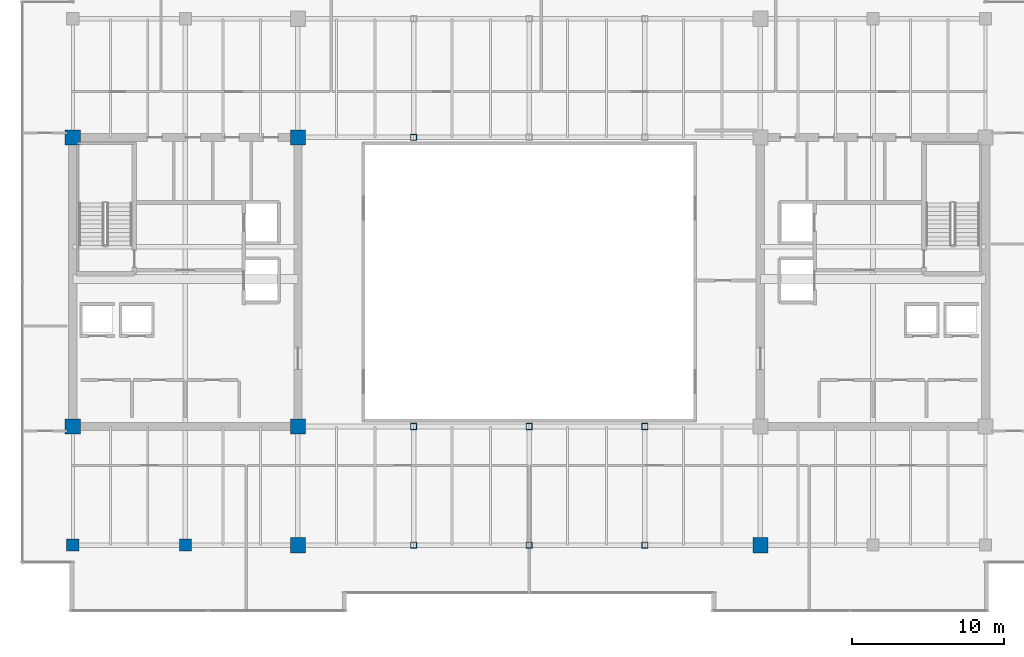
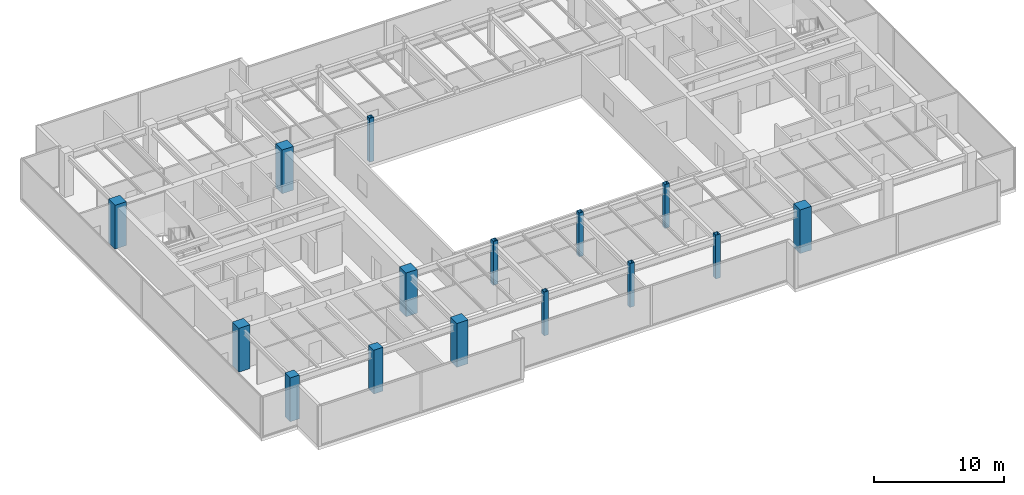
# One storey, part 1 of 33: 15 columns.
"""IFC4 building model written with IfcOpenShell, lengths in metres."""

from ifc_helpers import new_model, si_unit, direction, frame, origin, origin_2d, place, context, subcontext, project, spatial, rectangle, hollow_rectangle, extrude, source, transform, mapped, material, material_profile, profile_set, type_object, type_shapes, element, save


model = new_model("IFC4")

# Units and contexts
model_context = context("Model", 3, precision=1e-05, world=origin(), true_north=direction((0.0, 1.0)))
body_context = subcontext(model_context, "Body", "Model", "MODEL_VIEW")
ifc_project = project(units=[si_unit("LENGTHUNIT", "METRE"), si_unit("AREAUNIT", "SQUARE_METRE"), si_unit("VOLUMEUNIT", "CUBIC_METRE"), si_unit("PLANEANGLEUNIT", "RADIAN"), si_unit("MASSUNIT", "GRAM", prefix="KILO")], contexts=[model_context])

# Site, building, storey
site_placement = place(None, origin())
site = spatial("IfcSite", under=ifc_project, at=site_placement, CompositionType="ELEMENT")
building_placement = place(site_placement, origin())
building = spatial("IfcBuilding", under=site, at=building_placement, Name="Haelvirn Gate Laboratories", CompositionType="ELEMENT")
storey_placement = place(building_placement, frame((0.0, 0.0, 258.800048828125)))
storey = spatial("IfcBuildingStorey", under=building, at=storey_placement, Name="L62", CompositionType="ELEMENT", Elevation=258.800048828125)

# Columns
ifc_material_1 = material(Name="Concrete C60/75", Category="concrete")
ifc_material_profile_1 = material_profile(ifc_material_1, rectangle(XDim=1.0, YDim=1.0, at=origin_2d()), Name="RC-1000x1000")
ifc_profile_set_1 = profile_set([ifc_material_profile_1], Name="Concrete C60/75")
column_type_1 = type_object("IfcColumnType", Name="COL-RC-1000", PredefinedType="COLUMN", material=ifc_profile_set_1)
shared_shape_1 = source(origin(), body_context, "Body", "SweptSolid", [
    extrude(rectangle(XDim=1.0, YDim=1.0, at=origin_2d()), origin(), (0.0, 0.0, 1.0), 4.099853515625),
])
type_shapes(column_type_1, [shared_shape_1])
for number, where, z_axis, x_axis, name in (
    (1, (22.199951171875, 7.0, 0.0), (0.0, 0.0, 1.0), (1.0, 0.0, 0.0), "L62 Column 4B"),
    (2, (7.39990234375, 14.800048828125, 0.0), (0.0, 0.0, 1.0), (1.0, 0.0, 0.0), "L62 Column 2C"),
    (3, (22.199951171875, 14.800048828125, 0.0), (0.0, 0.0, 1.0), (1.0, 0.0, 0.0), "L62 Column 4C"),
    (4, (7.39990234375, 33.800048828125, 0.0), (0.0, 0.0, 1.0), (1.0, 0.0, 0.0), "L62 Column 2F"),
    (5, (22.199951171875, 33.800048828125, 0.0), (0.0, 0.0, 1.0), (1.0, 0.0, 0.0), "L62 Column 4F"),
    (6, (52.60009765625, 7.0, 0.0), (0.0, 0.0, 1.0), (1.0, 0.0, 0.0), "L62 Column 8B"),
):
    element("IfcColumn", number, at=place(storey_placement, frame(where, z_axis=z_axis, x_axis=x_axis)), inside=storey, type_object=column_type_1, Name=name, PredefinedType="COLUMN", context=body_context, shape_type="MappedRepresentation", body=[
        mapped(shared_shape_1, transform((0.0, 0.0, 0.0), scale=1.0)),
    ])
ifc_material_2 = material(Name="Concrete C50/60", Category="concrete")
ifc_material_profile_2 = material_profile(ifc_material_2, rectangle(XDim=0.800048828125, YDim=0.800048828125, at=origin_2d()), Name="RC-800x800")
ifc_profile_set_2 = profile_set([ifc_material_profile_2], Name="Concrete C50/60")
column_type_2 = type_object("IfcColumnType", Name="COL-RC-800", PredefinedType="COLUMN", material=ifc_profile_set_2)
shared_shape_2 = source(origin(), body_context, "Body", "SweptSolid", [
    extrude(rectangle(XDim=0.800048828125, YDim=0.800048828125, at=origin_2d()), origin(), (0.0, 0.0, 1.0), 4.099853515625),
])
type_shapes(column_type_2, [shared_shape_2])
for number, where, z_axis, x_axis, name in (
    (7, (14.800048828125, 7.0, 0.0), (0.0, 0.0, 1.0), (1.0, 0.0, 0.0), "L62 Column 3B"),
    (8, (7.39990234375, 7.0, 0.0), (0.0, 0.0, 1.0), (1.0, 0.0, 0.0), "L62 Column 2B"),
):
    element("IfcColumn", number, at=place(storey_placement, frame(where, z_axis=z_axis, x_axis=x_axis)), inside=storey, type_object=column_type_2, Name=name, PredefinedType="COLUMN", context=body_context, shape_type="MappedRepresentation", body=[
        mapped(shared_shape_2, transform((0.0, 0.0, 0.0), scale=1.0)),
    ])
ifc_material_3 = material(Name="Steel SM355", Category="steel")
ifc_material_profile_3 = material_profile(ifc_material_3, hollow_rectangle(XDim=0.39990234375, YDim=0.39990234375, WallThickness=0.01904296875, at=origin_2d()), Name="BOX-400x400x19")
ifc_profile_set_3 = profile_set([ifc_material_profile_3], Name="Steel SM355")
column_type_3 = type_object("IfcColumnType", Name="COL-BOX-400", PredefinedType="COLUMN", material=ifc_profile_set_3)
shared_shape_3 = source(origin(), body_context, "Body", "SweptSolid", [
    extrude(hollow_rectangle(XDim=0.39990234375, YDim=0.39990234375, WallThickness=0.01904296875, at=origin_2d()), origin(), (0.0, 0.0, 1.0), 4.099853515625),
])
type_shapes(column_type_3, [shared_shape_3])
for number, where, z_axis, x_axis, name in (
    (9, (29.800048828125, 7.0, 0.0), (0.0, 0.0, 1.0), (1.0, 0.0, 0.0), "L62 Column 5B"),
    (10, (29.800048828125, 14.800048828125, 0.0), (0.0, 0.0, 1.0), (1.0, 0.0, 0.0), "L62 Column 5C"),
    (11, (29.800048828125, 33.800048828125, 0.0), (0.0, 0.0, 1.0), (1.0, 0.0, 0.0), "L62 Column 5F"),
    (12, (37.39990234375, 7.0, 0.0), (0.0, 0.0, 1.0), (1.0, 0.0, 0.0), "L62 Column 6B"),
    (13, (37.39990234375, 14.800048828125, 0.0), (0.0, 0.0, 1.0), (1.0, 0.0, 0.0), "L62 Column 6C"),
    (14, (45.0, 7.0, 0.0), (0.0, 0.0, 1.0), (1.0, 0.0, 0.0), "L62 Column 7B"),
    (15, (45.0, 14.800048828125, 0.0), (0.0, 0.0, 1.0), (1.0, 0.0, 0.0), "L62 Column 7C"),
):
    element("IfcColumn", number, at=place(storey_placement, frame(where, z_axis=z_axis, x_axis=x_axis)), inside=storey, type_object=column_type_3, Name=name, PredefinedType="COLUMN", context=body_context, shape_type="MappedRepresentation", body=[
        mapped(shared_shape_3, transform((0.0, 0.0, 0.0), scale=1.0)),
    ])

save(model, "model.ifc")
